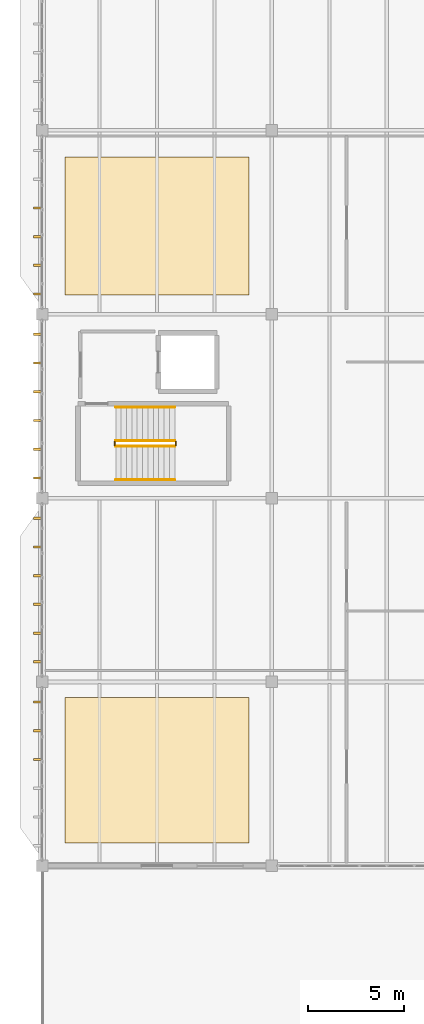
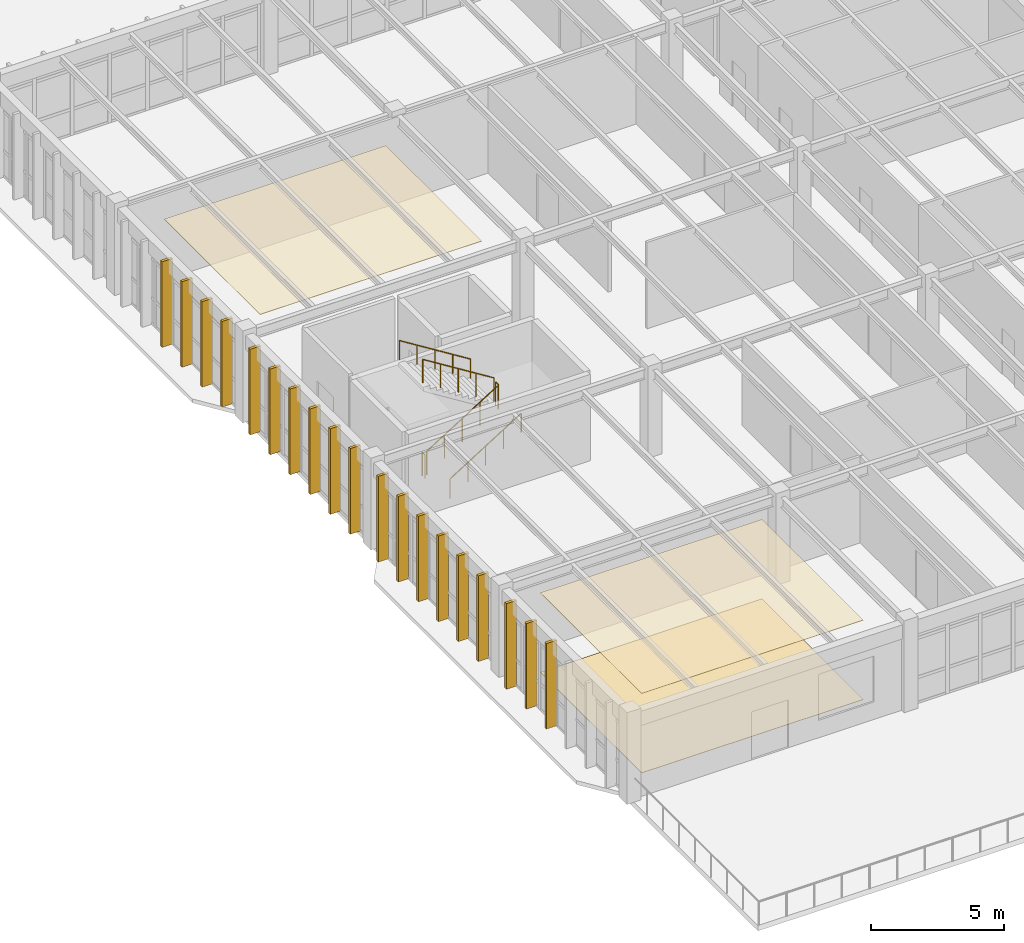
# One storey, part 35 of 37: 19 shading devices, 6 railings, 3 coverings.
"""IFC4 building model written with IfcOpenShell, lengths in metres."""

from ifc_helpers import new_model, si_unit, direction, frame, origin, origin_2d, place, context, subcontext, project, spatial, polyline, rectangle, circle, outline, extrude, material, layer, layer_set, type_object, element, save


model = new_model("IFC4")

# Units and contexts
model_context = context("Model", 3, precision=1e-05, world=origin(), true_north=direction((0.0, 1.0)))
body_context = subcontext(model_context, "Body", "Model", "MODEL_VIEW")
ifc_project = project(units=[si_unit("LENGTHUNIT", "METRE"), si_unit("AREAUNIT", "SQUARE_METRE"), si_unit("VOLUMEUNIT", "CUBIC_METRE"), si_unit("PLANEANGLEUNIT", "RADIAN"), si_unit("MASSUNIT", "GRAM", prefix="KILO")], contexts=[model_context])

# Site, building, storey
site_placement = place(None, origin())
site = spatial("IfcSite", under=ifc_project, at=site_placement, CompositionType="ELEMENT")
building_placement = place(site_placement, origin())
building = spatial("IfcBuilding", under=site, at=building_placement, Name="Pandanus Reach Market Hall", CompositionType="ELEMENT")
storey_placement = place(building_placement, frame((0.0, 0.0, 14.39990234375)))
storey = spatial("IfcBuildingStorey", under=building, at=storey_placement, Name="L03", CompositionType="ELEMENT", Elevation=14.39990234375)

# Coverings
ifc_material_1 = material(Name="Perforated acoustic gypsum board", Category="gypsum")
ifc_layer_1 = layer(ifc_material_1, 0.02001953125, Name="CLG-ACT-20")
ifc_layer_set_1 = layer_set([ifc_layer_1], Name="Perforated acoustic gypsum board")
covering_type_1 = type_object("IfcCoveringType", Name="CLG-ACT-20", PredefinedType="CEILING", material=ifc_layer_set_1)
covering_1_placement = place(storey_placement, frame((0.0, 0.0, 3.631591796875)))
element("IfcCovering", 1, at=covering_1_placement, inside=storey, type_object=covering_type_1, Name="Perforated acoustic ceiling L03.6", PredefinedType="CEILING", context=body_context, shape_type="SweptSolid", body=[
    extrude(outline(polyline([(145.199951171875, 30.0), (154.800048828125, 30.0), (154.800048828125, 37.60009765625), (145.199951171875, 37.60009765625), (145.199951171875, 30.0)])), origin(), (0.0, 0.0, 1.0), 0.02001953125),
])
covering_2_placement = place(storey_placement, frame((0.0, 0.0, 3.631591796875)))
element("IfcCovering", 2, at=covering_2_placement, inside=storey, type_object=covering_type_1, Name="Perforated acoustic ceiling L03.7", PredefinedType="CEILING", context=body_context, shape_type="SweptSolid", body=[
    extrude(outline(polyline([(145.199951171875, 58.60009765625), (154.800048828125, 58.60009765625), (154.800048828125, 65.800048828125), (145.199951171875, 65.800048828125), (145.199951171875, 58.60009765625)])), origin(), (0.0, 0.0, 1.0), 0.02001953125),
])
ifc_material_2 = material(Name="Washable coved epoxy terrazzo flooring")
ifc_layer_2 = layer(ifc_material_2, 0.014892578125, Name="FLR-EPX-15")
ifc_layer_set_2 = layer_set([ifc_layer_2], Name="Washable coved epoxy terrazzo flooring")
covering_type_2 = type_object("IfcCoveringType", Name="FLR-EPX-15", PredefinedType="FLOORING", material=ifc_layer_set_2)
covering_3_placement = place(storey_placement, origin())
element("IfcCovering", 3, at=covering_3_placement, inside=storey, type_object=covering_type_2, Name="Washable epoxy terrazzo flooring L03.7", PredefinedType="FLOORING", context=body_context, shape_type="SweptSolid", body=[
    extrude(outline(polyline([(145.199951171875, 30.0), (154.800048828125, 30.0), (154.800048828125, 37.60009765625), (145.199951171875, 37.60009765625), (145.199951171875, 30.0)])), origin(), (0.0, 0.0, 1.0), 0.01513671875),
])

# Shading devices
ifc_material_3 = material(Name="Precast concrete S50 (50 MPa)", Category="concrete")
shading_device_type = type_object("IfcShadingDeviceType", Name="FN-S50-450", PredefinedType="JALOUSIE", material=ifc_material_3)
for number, where, z_axis, x_axis, name in (
    (4, (143.780029296875, 34.35009765625, -0.009765625), (0.0, 0.0, 1.0), (-1.0, 0.0, 0.0), "Precast brise-soleil fin 540"),
    (5, (143.780029296875, 35.85009765625, -0.009765625), (0.0, 0.0, 1.0), (-1.0, 0.0, 0.0), "Precast brise-soleil fin 541"),
    (6, (143.780029296875, 37.35009765625, -0.009765625), (0.0, 0.0, 1.0), (-1.0, 0.0, 0.0), "Precast brise-soleil fin 542"),
    (7, (143.780029296875, 39.449951171875, -0.009765625), (0.0, 0.0, 1.0), (-1.0, 0.0, 0.0), "Precast brise-soleil fin 543"),
    (8, (143.780029296875, 40.949951171875, -0.009765625), (0.0, 0.0, 1.0), (-1.0, 0.0, 0.0), "Precast brise-soleil fin 544"),
    (9, (143.780029296875, 42.449951171875, -0.009765625), (0.0, 0.0, 1.0), (-1.0, 0.0, 0.0), "Precast brise-soleil fin 545"),
    (10, (143.780029296875, 43.949951171875, -0.009765625), (0.0, 0.0, 1.0), (-1.0, 0.0, 0.0), "Precast brise-soleil fin 546"),
    (11, (143.780029296875, 45.449951171875, -0.009765625), (0.0, 0.0, 1.0), (-1.0, 0.0, 0.0), "Precast brise-soleil fin 547"),
    (12, (143.780029296875, 46.949951171875, -0.009765625), (0.0, 0.0, 1.0), (-1.0, 0.0, 0.0), "Precast brise-soleil fin 548"),
    (13, (143.780029296875, 49.050048828125, -0.009765625), (0.0, 0.0, 1.0), (-1.0, 0.0, 0.0), "Precast brise-soleil fin 549"),
    (14, (143.780029296875, 50.550048828125, -0.009765625), (0.0, 0.0, 1.0), (-1.0, 0.0, 0.0), "Precast brise-soleil fin 550"),
    (15, (143.780029296875, 52.050048828125, -0.009765625), (0.0, 0.0, 1.0), (-1.0, 0.0, 0.0), "Precast brise-soleil fin 551"),
    (16, (143.780029296875, 53.550048828125, -0.009765625), (0.0, 0.0, 1.0), (-1.0, 0.0, 0.0), "Precast brise-soleil fin 552"),
    (17, (143.780029296875, 55.050048828125, -0.009765625), (0.0, 0.0, 1.0), (-1.0, 0.0, 0.0), "Precast brise-soleil fin 553"),
    (18, (143.780029296875, 56.550048828125, -0.009765625), (0.0, 0.0, 1.0), (-1.0, 0.0, 0.0), "Precast brise-soleil fin 554"),
    (19, (143.780029296875, 58.64990234375, -0.009765625), (0.0, 0.0, 1.0), (-1.0, 0.0, 0.0), "Precast brise-soleil fin 555"),
    (20, (143.780029296875, 60.14990234375, -0.009765625), (0.0, 0.0, 1.0), (-1.0, 0.0, 0.0), "Precast brise-soleil fin 556"),
    (21, (143.780029296875, 61.64990234375, -0.009765625), (0.0, 0.0, 1.0), (-1.0, 0.0, 0.0), "Precast brise-soleil fin 557"),
    (22, (143.780029296875, 63.14990234375, -0.009765625), (0.0, 0.0, 1.0), (-1.0, 0.0, 0.0), "Precast brise-soleil fin 558"),
):
    element("IfcShadingDevice", number, at=place(storey_placement, frame(where, z_axis=z_axis, x_axis=x_axis)), inside=storey, type_object=shading_device_type, Name=name, PredefinedType="JALOUSIE", context=body_context, shape_type="SweptSolid", body=[
        extrude(rectangle(XDim=0.449951171875, YDim=0.1201171875, at=origin_2d()), origin(), (0.0, 0.0, 1.0), 3.919921875),
    ])

# Railings
ifc_material_4 = material(Name="Galvanised steel Grade 350 (350 MPa)", Category="steel")
railing_type_1 = type_object("IfcRailingType", Name="GR-INT-110", PredefinedType="GUARDRAIL", material=ifc_material_4)
railing_1_placement = place(storey_placement, frame((147.85009765625, 50.699951171875, 0.175048828125)))
element("IfcRailing", 23, at=railing_1_placement, inside=storey, type_object=railing_type_1, Name="Stair guard ST-03 L03.87", PredefinedType="GUARDRAIL", context=body_context, shape_type="SweptSolid", body=[
    extrude(circle(Radius=0.02392578125, at=origin_2d()), frame((0.0, 0.0, 1.076171875), z_axis=(0.847979421464, 0.0, 0.530029150871), x_axis=(0.0, 1.0, 0.0)), (0.0, 0.0, 1.0), 3.632080078125),
    extrude(circle(Radius=0.02099609375, at=origin_2d()), origin(), (0.0, 0.0, 1.0), 1.052001953125),
    extrude(circle(Radius=0.02099609375, at=origin_2d()), frame((0.77001953125, 0.0, 0.481201171875)), (0.0, 0.0, 1.0), 1.052001953125),
    extrude(circle(Radius=0.02099609375, at=origin_2d()), frame((1.5400390625, 0.0, 0.96240234375)), (0.0, 0.0, 1.0), 1.052001953125),
    extrude(circle(Radius=0.02099609375, at=origin_2d()), frame((2.309814453125, 0.0, 1.44384765625)), (0.0, 0.0, 1.0), 1.052001953125),
    extrude(circle(Radius=0.02099609375, at=origin_2d()), frame((3.079833984375, 0.0, 1.925048828125)), (0.0, 0.0, 1.0), 1.052001953125),
])
railing_2_placement = place(storey_placement, frame((150.97998046875, 50.75, 2.10009765625)))
element("IfcRailing", 24, at=railing_2_placement, inside=storey, type_object=railing_type_1, Name="Stair guard ST-03 L03.88", PredefinedType="GUARDRAIL", context=body_context, shape_type="SweptSolid", body=[
    extrude(circle(Radius=0.02392578125, at=origin_2d()), frame((0.0, 0.0, 1.076171875), z_axis=(0.0, 1.0, 0.0), x_axis=(-1.0, 0.0, 0.0)), (0.0, 0.0, 1.0), 0.199951171875),
    extrude(circle(Radius=0.02099609375, at=origin_2d()), origin(), (0.0, 0.0, 1.0), 1.052001953125),
    extrude(circle(Radius=0.02099609375, at=origin_2d()), frame((0.0, 0.199951171875, 0.0)), (0.0, 0.0, 1.0), 1.052001953125),
])
railing_3_placement = place(storey_placement, frame((150.929931640625, 51.0, 2.275146484375)))
element("IfcRailing", 25, at=railing_3_placement, inside=storey, type_object=railing_type_1, Name="Stair guard ST-03 L03.89", PredefinedType="GUARDRAIL", context=body_context, shape_type="SweptSolid", body=[
    extrude(circle(Radius=0.02392578125, at=origin_2d()), frame((0.0, 0.0, 1.076171875), z_axis=(-0.847979421464, 0.0, 0.530029150871), x_axis=(0.0, -1.0, 0.0)), (0.0, 0.0, 1.0), 3.632080078125),
    extrude(circle(Radius=0.02099609375, at=origin_2d()), origin(), (0.0, 0.0, 1.0), 1.052001953125),
    extrude(circle(Radius=0.02099609375, at=origin_2d()), frame((-0.77001953125, 0.0, 0.481201171875)), (0.0, 0.0, 1.0), 1.052001953125),
    extrude(circle(Radius=0.02099609375, at=origin_2d()), frame((-1.5400390625, 0.0, 0.96240234375)), (0.0, 0.0, 1.0), 1.052001953125),
    extrude(circle(Radius=0.02099609375, at=origin_2d()), frame((-2.309814453125, 0.0, 1.44384765625)), (0.0, 0.0, 1.0), 1.052001953125),
    extrude(circle(Radius=0.02099609375, at=origin_2d()), frame((-3.079833984375, 0.0, 1.925048828125)), (0.0, 0.0, 1.0), 1.052001953125),
])
railing_4_placement = place(storey_placement, frame((147.800048828125, 50.75, 0.0)))
element("IfcRailing", 26, at=railing_4_placement, inside=storey, type_object=railing_type_1, Name="Stair guard ST-03 L03.90", PredefinedType="GUARDRAIL", context=body_context, shape_type="SweptSolid", body=[
    extrude(circle(Radius=0.02392578125, at=origin_2d()), frame((0.0, 0.0, 1.076171875), z_axis=(0.0, 1.0, 0.0), x_axis=(-1.0, 0.0, 0.0)), (0.0, 0.0, 1.0), 0.199951171875),
    extrude(circle(Radius=0.02099609375, at=origin_2d()), origin(), (0.0, 0.0, 1.0), 1.052001953125),
    extrude(circle(Radius=0.02099609375, at=origin_2d()), frame((0.0, 0.199951171875, 0.0)), (0.0, 0.0, 1.0), 1.052001953125),
])
ifc_material_5 = material(Name="Brushed stainless steel", Category="steel")
railing_type_2 = type_object("IfcRailingType", Name="HR-WAL-090", PredefinedType="HANDRAIL", material=ifc_material_5)
railing_5_placement = place(storey_placement, frame((147.85009765625, 48.949951171875, 0.175048828125)))
element("IfcRailing", 27, at=railing_5_placement, inside=storey, type_object=railing_type_2, Name="Stair handrail ST-03 L03.91", PredefinedType="HANDRAIL", context=body_context, shape_type="SweptSolid", body=[
    extrude(circle(Radius=0.02392578125, at=origin_2d()), frame((0.0, 0.0, 0.8759765625), z_axis=(0.847979421464, 0.0, 0.530029150871), x_axis=(0.0, 1.0, 0.0)), (0.0, 0.0, 1.0), 3.632080078125),
    extrude(circle(Radius=0.02099609375, at=origin_2d()), origin(), (0.0, 0.0, 1.0), 0.851806640625),
    extrude(circle(Radius=0.02099609375, at=origin_2d()), frame((0.77001953125, 0.0, 0.481201171875)), (0.0, 0.0, 1.0), 0.851806640625),
    extrude(circle(Radius=0.02099609375, at=origin_2d()), frame((1.5400390625, 0.0, 0.96240234375)), (0.0, 0.0, 1.0), 0.851806640625),
    extrude(circle(Radius=0.02099609375, at=origin_2d()), frame((2.309814453125, 0.0, 1.44384765625)), (0.0, 0.0, 1.0), 0.851806640625),
    extrude(circle(Radius=0.02099609375, at=origin_2d()), frame((3.079833984375, 0.0, 1.925048828125)), (0.0, 0.0, 1.0), 0.851806640625),
])
railing_6_placement = place(storey_placement, frame((150.929931640625, 52.75, 2.275146484375)))
element("IfcRailing", 28, at=railing_6_placement, inside=storey, type_object=railing_type_2, Name="Stair handrail ST-03 L03.92", PredefinedType="HANDRAIL", context=body_context, shape_type="SweptSolid", body=[
    extrude(circle(Radius=0.02392578125, at=origin_2d()), frame((0.0, 0.0, 0.8759765625), z_axis=(-0.847979421464, 0.0, 0.530029150871), x_axis=(0.0, -1.0, 0.0)), (0.0, 0.0, 1.0), 3.632080078125),
    extrude(circle(Radius=0.02099609375, at=origin_2d()), origin(), (0.0, 0.0, 1.0), 0.851806640625),
    extrude(circle(Radius=0.02099609375, at=origin_2d()), frame((-0.77001953125, 0.0, 0.481201171875)), (0.0, 0.0, 1.0), 0.851806640625),
    extrude(circle(Radius=0.02099609375, at=origin_2d()), frame((-1.5400390625, 0.0, 0.96240234375)), (0.0, 0.0, 1.0), 0.851806640625),
    extrude(circle(Radius=0.02099609375, at=origin_2d()), frame((-2.309814453125, 0.0, 1.44384765625)), (0.0, 0.0, 1.0), 0.851806640625),
    extrude(circle(Radius=0.02099609375, at=origin_2d()), frame((-3.079833984375, 0.0, 1.925048828125)), (0.0, 0.0, 1.0), 0.851806640625),
])

save(model, "model.ifc")
